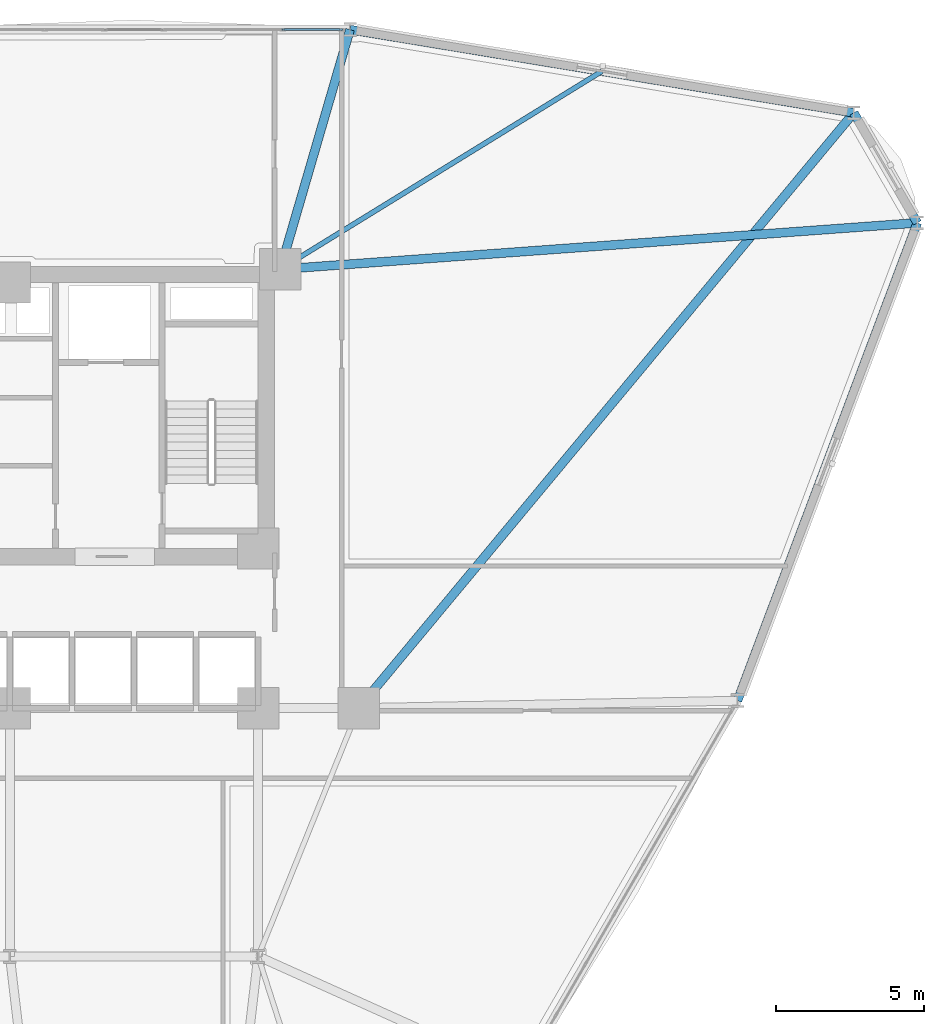
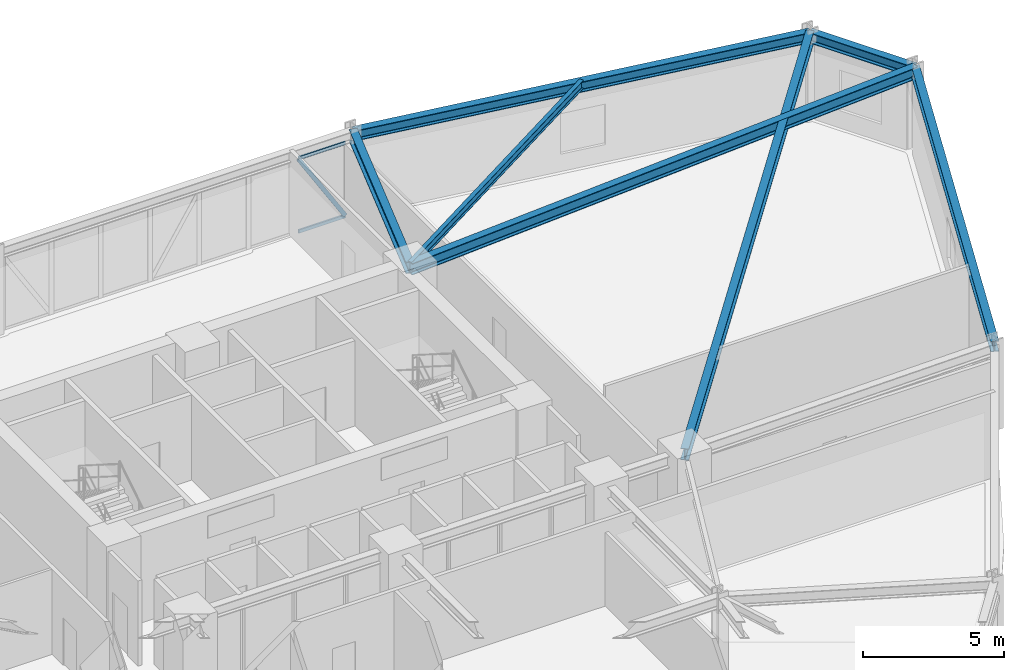
# One storey, part 11 of 20: 7 beams, 3 members, 1 element without a shape of its own.
"""IFC4 building model written with IfcOpenShell, lengths in metres."""

import ifcopenshell
import ifcopenshell.guid

model = None  # the IFC model being written
_history = None  # IfcOwnerHistory: only IFC2X3 demands one
_inside = {}  # id of a spatial element -> (the spatial element, [elements in it])
_under = {}  # id of a project, library or spatial element -> (it, [spatial elements below it])
_declared = {}  # id of a project -> (the project, [libraries it declares])
_typed = {}  # id of a type object -> (the type object, [elements of that type])
_made_of = {}  # id of a material, layer set ... -> (it, [elements and type objects made of it])


def new_model(schema):
    """Start an empty IFC model of exactly this schema.

    Asked for "IFC4X3", IfcOpenShell would pick the latest addendum, in which some entities
    have other attributes; the version numbers below select the first issue.
    IFC2X3 requires an IfcOwnerHistory on every rooted entity: one is made here for all.
    """
    global model, _history
    if schema == "IFC4X3":
        model = ifcopenshell.file(schema_version=(4, 3, 0, 0))
    else:
        model = ifcopenshell.file(schema=schema)
    _inside.clear()
    _under.clear()
    _declared.clear()
    _typed.clear()
    _made_of.clear()
    _history = None
    if model.schema == "IFC2X3":
        org = make("IfcOrganization", Name="unknown")
        user = make(
            "IfcPersonAndOrganization",
            ThePerson=make("IfcPerson", FamilyName="unknown"),
            TheOrganization=org,
        )
        app = make(
            "IfcApplication",
            ApplicationDeveloper=org,
            Version="unknown",
            ApplicationFullName="unknown",
            ApplicationIdentifier="unknown",
        )
        _history = make(
            "IfcOwnerHistory",
            OwningUser=user,
            OwningApplication=app,
            ChangeAction="ADDED",
            CreationDate=0,
        )
    return model


def make(cls, **values):
    """One entity of the class cls with the attributes given. An attribute that is None is left unset."""
    return model.create_entity(
        cls, **{name: value for name, value in values.items() if value is not None}
    )


def rooted(cls, **values):
    """An entity with a GlobalId (a new one), such as an element, a storey or a relation."""
    return make(cls, GlobalId=ifcopenshell.guid.new(), OwnerHistory=_history, **values)


def si_unit(unit_type, name, prefix=None):
    """IfcSIUnit, for example si_unit("LENGTHUNIT", "METRE", prefix="MILLI")."""
    return make("IfcSIUnit", UnitType=unit_type, Prefix=prefix, Name=name)


def derived_unit(unit_type, elements):
    """IfcDerivedUnit: a product of units, each with its exponent."""
    return make(
        "IfcDerivedUnit",
        Elements=[
            make("IfcDerivedUnitElement", Unit=unit, Exponent=power)
            for unit, power in elements
        ],
        UnitType=unit_type,
    )


def assignment(units):
    """IfcUnitAssignment: the units of a project."""
    return None if units is None else make("IfcUnitAssignment", Units=units)


def point(xyz):
    """IfcCartesianPoint."""
    return None if xyz is None else make("IfcCartesianPoint", Coordinates=xyz)


def direction(xyz):
    """IfcDirection."""
    return None if xyz is None else make("IfcDirection", DirectionRatios=xyz)


def frame(location, z_axis=None, x_axis=None):
    """IfcAxis2Placement3D, a coordinate frame: its origin and axes. An axis left out is left unset."""
    return make(
        "IfcAxis2Placement3D",
        Location=point(location),
        Axis=direction(z_axis),
        RefDirection=direction(x_axis),
    )


def frame_2d(location, x_axis=None):
    """IfcAxis2Placement2D, a coordinate frame in the plane: its origin and x axis."""
    return make(
        "IfcAxis2Placement2D", Location=point(location), RefDirection=direction(x_axis)
    )


def origin():
    """The frame at (0, 0, 0) with its axes left unset."""
    return frame((0.0, 0.0, 0.0))


def origin_2d():
    """The frame at (0, 0) in the plane with its x axis left unset."""
    return frame_2d((0.0, 0.0))


def place(relative_to, where):
    """IfcLocalPlacement: puts the frame where relative to a parent placement (None: the world)."""
    return make(
        "IfcLocalPlacement", PlacementRelTo=relative_to, RelativePlacement=where
    )


def context(
    kind, dimensions, precision=None, world=None, true_north=None, identifier=None
):
    """IfcGeometricRepresentationContext, for example the 3D "Model" context."""
    return make(
        "IfcGeometricRepresentationContext",
        ContextIdentifier=identifier,
        ContextType=kind,
        CoordinateSpaceDimension=dimensions,
        Precision=precision,
        WorldCoordinateSystem=world,
        TrueNorth=true_north,
    )


def subcontext(parent, identifier, kind, view, scale=None):
    """IfcGeometricRepresentationSubContext, for example "Body" below "Model"."""
    return make(
        "IfcGeometricRepresentationSubContext",
        ContextIdentifier=identifier,
        ContextType=kind,
        ParentContext=parent,
        TargetScale=scale,
        TargetView=view,
    )


def project(units=None, contexts=None):
    """IfcProject with its units and contexts."""
    return rooted(
        "IfcProject",
        Name="project",
        RepresentationContexts=contexts,
        UnitsInContext=assignment(units),
    )


def spatial(cls, under=None, at=None, **own):
    """A site, building, storey or space (cls), placed at a placement, below another one or the project."""
    s = rooted(cls, ObjectPlacement=at, **own)
    if under is not None:
        _under.setdefault(under.id(), (under, []))[1].append(s)
    return s


def profile(cls, at=None, kind="AREA", **sizes):
    """A parametric profile (cls). Its sizes go by their IFC names, for example OverallWidth=200.0."""
    return make(cls, ProfileType=kind, Position=at, **sizes)


def hollow_rectangle(**sizes):
    """IfcRectangleHollowProfileDef."""
    return profile("IfcRectangleHollowProfileDef", **sizes)


def i_section(**sizes):
    """IfcIShapeProfileDef."""
    return profile("IfcIShapeProfileDef", **sizes)


def extrude(swept, where, along, depth):
    """IfcExtrudedAreaSolid: the profile swept, set in the frame where, extruded along a direction by depth."""
    return make(
        "IfcExtrudedAreaSolid",
        SweptArea=swept,
        Position=where,
        ExtrudedDirection=direction(along),
        Depth=depth,
    )


def shape(context_of_items, identifier, shape_type, items):
    """IfcShapeRepresentation: the items that make up one representation, for example the "Body"."""
    return make(
        "IfcShapeRepresentation",
        ContextOfItems=context_of_items,
        RepresentationIdentifier=identifier,
        RepresentationType=shape_type,
        Items=items,
    )


def source(mapping_origin, context_of_items, identifier, shape_type, items):
    """IfcRepresentationMap: a shape defined once, which mapped items show again and again."""
    return make(
        "IfcRepresentationMap",
        MappingOrigin=mapping_origin,
        MappedRepresentation=shape(context_of_items, identifier, shape_type, items),
    )


def transform(
    local_origin,
    x_axis=None,
    y_axis=None,
    z_axis=None,
    scale=None,
    scale2=None,
    scale3=None,
    uniform=True,
):
    """IfcCartesianTransformationOperator3D, or its non-uniform kind. x_axis, y_axis, z_axis: its Axis1, 2, 3."""
    if uniform:
        return make(
            "IfcCartesianTransformationOperator3D",
            Axis1=direction(x_axis),
            Axis2=direction(y_axis),
            LocalOrigin=point(local_origin),
            Scale=scale,
            Axis3=direction(z_axis),
        )
    return make(
        "IfcCartesianTransformationOperator3DnonUniform",
        Axis1=direction(x_axis),
        Axis2=direction(y_axis),
        LocalOrigin=point(local_origin),
        Scale=scale,
        Axis3=direction(z_axis),
        Scale2=scale2,
        Scale3=scale3,
    )


def mapped(mapping_source, mapping_target):
    """IfcMappedItem: shows the shape of a source again, moved by a transform."""
    return make(
        "IfcMappedItem", MappingSource=mapping_source, MappingTarget=mapping_target
    )


def material(Name=None, Category=None):
    """IfcMaterial."""
    return make("IfcMaterial", Name=Name, Category=Category)


def layer(
    of_material, thickness, ventilated=None, Name=None, Category=None, Priority=None
):
    """IfcMaterialLayer: one layer of a wall or slab, of a material (None: an air gap)."""
    return make(
        "IfcMaterialLayer",
        Material=of_material,
        LayerThickness=thickness,
        IsVentilated=ventilated,
        Name=Name,
        Category=Category,
        Priority=Priority,
    )


def layer_set(layers, Name=None):
    """IfcMaterialLayerSet."""
    return make("IfcMaterialLayerSet", MaterialLayers=layers, LayerSetName=Name)


def material_profile(
    of_material, cross_section, Name=None, Category=None, Priority=None
):
    """IfcMaterialProfile: a cross section and its material."""
    return make(
        "IfcMaterialProfile",
        Name=Name,
        Material=of_material,
        Profile=cross_section,
        Priority=Priority,
        Category=Category,
    )


def profile_set(profiles, Name=None, composite=None):
    """IfcMaterialProfileSet."""
    return make(
        "IfcMaterialProfileSet",
        Name=Name,
        MaterialProfiles=profiles,
        CompositeProfile=composite,
    )


def made_of(thing, what):
    """Note that an element or type object is made of a material, layer set ...; save() writes the relation."""
    if what is not None:
        _made_of.setdefault(what.id(), (what, []))[1].append(thing)
    return thing


def type_object(cls, material=None, **own):
    """A type object (cls), such as IfcWallType, which elements share."""
    return made_of(rooted(cls, **own), material)


def element(
    cls,
    number,
    at=None,
    inside=None,
    cuts=None,
    type_object=None,
    material=None,
    context=None,
    identifier="Body",
    shape_type=None,
    held_by="IfcProductDefinitionShape",
    body=None,
    shapes=None,
    **own,
):
    """One element of the class cls, such as IfcWall. Its Tag is "e" and its number.

    at: its placement. inside: the storey or other place that contains it. cuts: it is an
    opening in that element (IfcRelVoidsElement). A single representation is given by context,
    identifier, shape_type and body (its items); several are given by shapes. held_by: the class
    of the entity that holds the representations. save() writes the other relations.
    """
    e = rooted(cls, Tag="e%d" % number, ObjectPlacement=at, **own)
    if body is not None:
        shapes = [shape(context, identifier, shape_type, body)]
    if shapes is not None:
        e.Representation = make(held_by, Representations=shapes)
    if inside is not None:
        _inside.setdefault(inside.id(), (inside, []))[1].append(e)
    if cuts is not None:
        rooted(
            "IfcRelVoidsElement", RelatingBuildingElement=cuts, RelatedOpeningElement=e
        )
    if type_object is not None:
        _typed.setdefault(type_object.id(), (type_object, []))[1].append(e)
    return made_of(e, material)


def aggregate(whole, parts):
    """IfcRelAggregates: a whole, such as a stair, and the parts it consists of."""
    return rooted("IfcRelAggregates", RelatingObject=whole, RelatedObjects=parts)


def save(model, path):
    """Write the relations noted so far, then the file.

    IfcRelAggregates (storeys below a building ...), IfcRelContainedInSpatialStructure (elements
    in a storey), IfcRelDefinesByType, IfcRelAssociatesMaterial and IfcRelDeclares: one each for
    every whole, place, type object, material and project.
    """
    for whole, parts in _under.values():
        aggregate(whole, parts)
    for where, things in _inside.values():
        rooted(
            "IfcRelContainedInSpatialStructure",
            RelatedElements=things,
            RelatingStructure=where,
        )
    for kind, things in _typed.values():
        rooted("IfcRelDefinesByType", RelatedObjects=things, RelatingType=kind)
    for what, things in _made_of.values():
        rooted("IfcRelAssociatesMaterial", RelatedObjects=things, RelatingMaterial=what)
    for by, libraries in _declared.values():
        rooted("IfcRelDeclares", RelatingContext=by, RelatedDefinitions=libraries)
    model.write(path)


model = new_model("IFC4")

# Units and contexts
model_context = context("Model", 3, precision=1e-05, world=origin(), true_north=direction((0.0, 1.0)))
body_context = subcontext(model_context, "Body", "Model", "MODEL_VIEW")
ifc_project = project(units=[si_unit("LENGTHUNIT", "METRE"), si_unit("AREAUNIT", "SQUARE_METRE"), si_unit("VOLUMEUNIT", "CUBIC_METRE"), si_unit("PLANEANGLEUNIT", "RADIAN"), si_unit("MASSUNIT", "GRAM", prefix="KILO"), derived_unit("THERMALTRANSMITTANCEUNIT", [(si_unit("POWERUNIT", "WATT"), 1), (si_unit("LENGTHUNIT", "METRE"), -2), (si_unit("THERMODYNAMICTEMPERATUREUNIT", "KELVIN"), -1)])], contexts=[model_context])

# Site, building, storey
site_placement = place(None, origin())
site = spatial("IfcSite", under=ifc_project, at=site_placement, CompositionType="ELEMENT")
building_placement = place(site_placement, origin())
building = spatial("IfcBuilding", under=site, at=building_placement, Name="Korsvarv Bourse and Concert Hall", CompositionType="ELEMENT")
storey_placement = place(building_placement, frame((0.0, 0.0, 87.300048828125)))
storey = spatial("IfcBuildingStorey", under=building, at=storey_placement, Name="L21", CompositionType="ELEMENT", Elevation=87.300048828125)

# Beams
ifc_material_1 = material(Name="Steel S355", Category="steel")
ifc_material_profile_1 = material_profile(ifc_material_1, i_section(OverallWidth=0.300048828125, OverallDepth=0.449951171875, WebThickness=0.013916015625, FlangeThickness=0.02587890625, FilletRadius=0.02099609375, at=origin_2d()), Name="HEB 450")
ifc_profile_set_1 = profile_set([ifc_material_profile_1], Name="Steel S355")
beam_type_1 = type_object("IfcBeamType", Name="BM-HEB450", PredefinedType="SPANDREL", material=ifc_profile_set_1)
shared_shape_1 = source(origin(), body_context, "Body", "SweptSolid", [
    extrude(i_section(OverallWidth=0.300048828125, OverallDepth=0.449951171875, WebThickness=0.013916015625, FlangeThickness=0.02587890625, FilletRadius=0.02099609375, at=origin_2d()), origin(), (0.0, 0.0, 1.0), 4.301025390625),
])
beam_1_placement = place(storey_placement, frame((66.705078125, 48.819580078125, 3.454833984375), z_axis=(-0.50004020135, 0.86600219228, 0.0), x_axis=(-0.86600219228, -0.50004020135, 0.0)))
element("IfcBeam", 1, at=beam_1_placement, inside=storey, type_object=beam_type_1, Name="L21 beam B-08", PredefinedType="SPANDREL", context=body_context, shape_type="MappedRepresentation", body=[
    mapped(shared_shape_1, transform((0.0, 0.0, 0.0), scale=1.0)),
])
shared_shape_2 = source(origin(), body_context, "Body", "SweptSolid", [
    extrude(i_section(OverallWidth=0.300048828125, OverallDepth=0.449951171875, WebThickness=0.013916015625, FlangeThickness=0.02587890625, FilletRadius=0.02099609375, at=origin_2d()), origin(), (0.0, 0.0, 1.0), 17.276123046875),
])
for number, where, z_axis, x_axis, name in (
    (2, (64.554443359375, 52.544189453125, 3.454833984375), (-0.986647870676, 0.162867981173, 0.0), (-0.162867981173, -0.986647870676, 0.0), "L21 beam B-08"),
    (3, (60.618896484375, 32.65087890625, 3.454833984375), (0.352286219309, 0.935892312013, 0.0), (-0.935892312013, 0.352286219309, 0.0), "L21 beam B-08"),
):
    element("IfcBeam", number, at=place(storey_placement, frame(where, z_axis=z_axis, x_axis=x_axis)), inside=storey, type_object=beam_type_1, Name=name, PredefinedType="SPANDREL", context=body_context, shape_type="MappedRepresentation", body=[
        mapped(shared_shape_2, transform((0.0, 0.0, 0.0), scale=1.0)),
    ])
ifc_material_profile_2 = material_profile(ifc_material_1, i_section(OverallWidth=0.300048828125, OverallDepth=0.5, WebThickness=0.014404296875, FlangeThickness=0.028076171875, FilletRadius=0.02392578125, at=origin_2d()), Name="HEB 500")
ifc_profile_set_2 = profile_set([ifc_material_profile_2], Name="Steel S355")
beam_type_2 = type_object("IfcBeamType", Name="BM-HEB500", PredefinedType="BEAM", material=ifc_profile_set_2)
shared_shape_3 = source(origin(), body_context, "Body", "SweptSolid", [
    extrude(i_section(OverallWidth=0.300048828125, OverallDepth=0.5, WebThickness=0.014404296875, FlangeThickness=0.028076171875, FilletRadius=0.02392578125, at=origin_2d()), origin(), (0.0, 0.0, 1.0), 21.6123046875),
])
beam_2_placement = place(storey_placement, frame((66.705078125, 48.819580078125, 3.429931640625), z_axis=(-0.997359349421, -0.072624569684, 0.0), x_axis=(0.072624569684, -0.997359349421, 0.0)))
element("IfcBeam", 4, at=beam_2_placement, inside=storey, type_object=beam_type_2, Name="L21 beam B-07", PredefinedType="BEAM", context=body_context, shape_type="MappedRepresentation", body=[
    mapped(shared_shape_3, transform((0.0, 0.0, 0.0), scale=1.0)),
])
shared_shape_4 = source(origin(), body_context, "Body", "SweptSolid", [
    extrude(i_section(OverallWidth=0.300048828125, OverallDepth=0.5, WebThickness=0.014404296875, FlangeThickness=0.028076171875, FilletRadius=0.02392578125, at=origin_2d()), origin(), (0.0, 0.0, 1.0), 26.201171875),
])
beam_3_placement = place(storey_placement, frame((64.554443359375, 52.544189453125, 3.429931640625), z_axis=(-0.639451811681, -0.768831178178, 0.0), x_axis=(0.768831178178, -0.639451811681, 0.0)))
element("IfcBeam", 5, at=beam_3_placement, inside=storey, type_object=beam_type_2, Name="L21 beam B-07", PredefinedType="BEAM", context=body_context, shape_type="MappedRepresentation", body=[
    mapped(shared_shape_4, transform((0.0, 0.0, 0.0), scale=1.0)),
])
shared_shape_5 = source(origin(), body_context, "Body", "SweptSolid", [
    extrude(i_section(OverallWidth=0.300048828125, OverallDepth=0.5, WebThickness=0.014404296875, FlangeThickness=0.028076171875, FilletRadius=0.02392578125, at=origin_2d()), origin(), (0.0, 0.0, 1.0), 8.444091796875),
])
beam_4_placement = place(storey_placement, frame((47.509033203125, 55.35791015625, 3.429931640625), z_axis=(-0.279380430123, -0.960180490983, 0.0), x_axis=(0.960180490983, -0.279380430123, 0.0)))
element("IfcBeam", 6, at=beam_4_placement, inside=storey, type_object=beam_type_2, Name="L21 beam B-07", PredefinedType="BEAM", context=body_context, shape_type="MappedRepresentation", body=[
    mapped(shared_shape_5, transform((0.0, 0.0, 0.0), scale=1.0)),
])
ifc_material_profile_3 = material_profile(ifc_material_1, i_section(OverallWidth=0.169921875, OverallDepth=0.360107421875, WebThickness=0.008056640625, FlangeThickness=0.0126953125, FilletRadius=0.01806640625, at=origin_2d()), Name="IPE 360")
ifc_profile_set_3 = profile_set([ifc_material_profile_3], Name="Steel S355")
beam_type_3 = type_object("IfcBeamType", Name="BM-IPE360", PredefinedType="JOIST", material=ifc_profile_set_3)
shared_shape_6 = source(origin(), body_context, "Body", "SweptSolid", [
    extrude(i_section(OverallWidth=0.169921875, OverallDepth=0.360107421875, WebThickness=0.008056640625, FlangeThickness=0.0126953125, FilletRadius=0.01806640625, at=origin_2d()), origin(), (0.0, 0.0, 1.0), 12.779541015625),
])
beam_5_placement = place(storey_placement, frame((56.03173828125, 53.950927734375, 3.5), z_axis=(-0.851504135889, -0.524347886964, 0.0), x_axis=(0.524347886964, -0.851504135889, 0.0)))
element("IfcBeam", 7, at=beam_5_placement, inside=storey, type_object=beam_type_3, Name="L21 beam J-06", PredefinedType="JOIST", context=body_context, shape_type="MappedRepresentation", body=[
    mapped(shared_shape_6, transform((0.0, 0.0, 0.0), scale=1.0)),
])

# Curtain wall, members
ifc_material_2 = material(Name="Anodised aluminium and triple low-E glazing", Category="glass")
ifc_layer = layer(ifc_material_2, 0.219970703125)
ifc_layer_set = layer_set([ifc_layer], Name="Anodised aluminium and triple low-E glazing")
curtain_wall_type = type_object("IfcCurtainWallType", Name="CW-SYS-1", PredefinedType="NOTDEFINED", material=ifc_layer_set)
curtain_wall_placement = place(storey_placement, origin())
curtain_wall = element("IfcCurtainWall", 8, at=curtain_wall_placement, inside=storey, type_object=curtain_wall_type, Name="L21 CW1 curtain wall CW-L21-F03", PredefinedType="NOTDEFINED")
ifc_material_3 = material(Name="Extruded aluminium EN AW-6063 T66", Category="aluminium")
ifc_material_profile_4 = material_profile(ifc_material_3, hollow_rectangle(XDim=0.06494140625, YDim=0.139892578125, WallThickness=0.00390625, at=origin_2d()), Name="ALU-T 65x140")
ifc_profile_set_4 = profile_set([ifc_material_profile_4], Name="Extruded aluminium EN AW-6063 T66")
member_type_1 = type_object("IfcMemberType", Name="CWT-140", PredefinedType="USERDEFINED", material=ifc_profile_set_4)
shared_shape_7 = source(origin(), body_context, "Body", "SweptSolid", [
    extrude(hollow_rectangle(XDim=0.06494140625, YDim=0.139892578125, WallThickness=0.00390625, at=origin_2d()), origin(), (0.0, 0.0, 1.0), 1.908447265625),
])
member_1_placement = place(storey_placement, frame((47.177001953125, 55.35791015625, 0.032470703125), z_axis=(-1.0, 0.0, 0.0), x_axis=(0.0, -1.0, 0.0)))
member_1 = element("IfcMember", 9, at=member_1_placement, type_object=member_type_1, Name="CW1 transom 1.1", ObjectType="TRANSOM", PredefinedType="USERDEFINED", context=body_context, shape_type="MappedRepresentation", body=[
    mapped(shared_shape_7, transform((0.0, 0.0, 0.0), scale=1.0)),
])
member_2_placement = place(storey_placement, frame((47.177001953125, 55.35791015625, 3.197509765625), z_axis=(-1.0, 0.0, 0.0), x_axis=(0.0, -1.0, 0.0)))
member_2 = element("IfcMember", 10, at=member_2_placement, type_object=member_type_1, Name="CW1 transom 1.2", ObjectType="TRANSOM", PredefinedType="USERDEFINED", context=body_context, shape_type="MappedRepresentation", body=[
    mapped(shared_shape_7, transform((0.0, 0.0, 0.0), scale=1.0)),
])
ifc_material_profile_5 = material_profile(ifc_material_3, hollow_rectangle(XDim=0.06494140625, YDim=0.1650390625, WallThickness=0.0048828125, at=origin_2d()), Name="ALU-M 65x165")
ifc_profile_set_5 = profile_set([ifc_material_profile_5], Name="Extruded aluminium EN AW-6063 T66")
member_type_2 = type_object("IfcMemberType", Name="CWM-165", PredefinedType="MULLION", material=ifc_profile_set_5)
shared_shape_8 = source(origin(), body_context, "Body", "SweptSolid", [
    extrude(hollow_rectangle(XDim=0.06494140625, YDim=0.1650390625, WallThickness=0.0048828125, at=origin_2d()), origin(), (0.0, 0.0, 1.0), 3.640380859375),
])
member_3_placement = place(storey_placement, frame((47.177001953125, 55.35791015625, 0.06494140625), z_axis=(-0.52423586326, 0.0, 0.851573108824), x_axis=(0.0, -1.0, 0.0)))
member_3 = element("IfcMember", 11, at=member_3_placement, type_object=member_type_2, Name="CW1 diagonal mullion 1", PredefinedType="MULLION", context=body_context, shape_type="MappedRepresentation", body=[
    mapped(shared_shape_8, transform((0.0, 0.0, 0.0), scale=1.0)),
])
aggregate(curtain_wall, [member_1, member_2, member_3])

save(model, "model.ifc")
